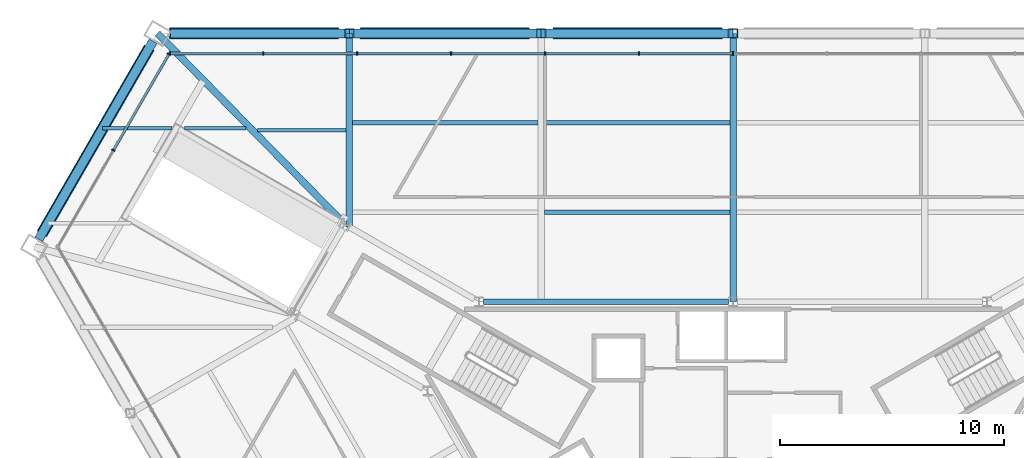
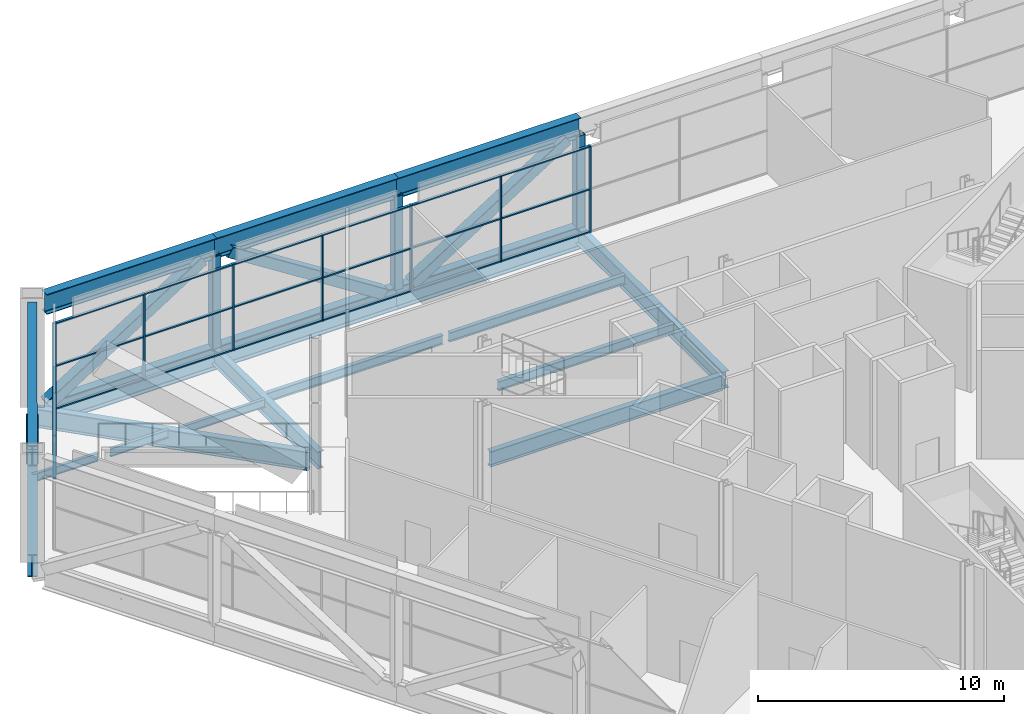
# One storey, part 7 of 20: 45 members, 10 beams, 2 elements without a shape of their own.
"""IFC4 building model written with IfcOpenShell, lengths in metres."""

from ifc_helpers import new_model, si_unit, direction, frame, origin, origin_2d, place, context, subcontext, project, spatial, rectangle, hollow_rectangle, i_section, extrude, material, layer, layer_set, material_profile, profile_set, type_object, element, aggregate, save


model = new_model("IFC4")

# Units and contexts
model_context = context("Model", 3, precision=1e-05, world=origin(), true_north=direction((0.0, 1.0)))
body_context = subcontext(model_context, "Body", "Model", "MODEL_VIEW")
ifc_project = project(units=[si_unit("LENGTHUNIT", "METRE"), si_unit("AREAUNIT", "SQUARE_METRE"), si_unit("VOLUMEUNIT", "CUBIC_METRE"), si_unit("PLANEANGLEUNIT", "RADIAN"), si_unit("MASSUNIT", "GRAM", prefix="KILO")], contexts=[model_context])

# Site, building, storey
site_placement = place(None, origin())
site = spatial("IfcSite", under=ifc_project, at=site_placement, CompositionType="ELEMENT")
building_placement = place(site_placement, origin())
building = spatial("IfcBuilding", under=site, at=building_placement, Name="Verrane Prism Tower", CompositionType="ELEMENT")
storey_placement = place(building_placement, frame((0.0, 0.0, 12.0)))
storey = spatial("IfcBuildingStorey", under=building, at=storey_placement, Name="L01", CompositionType="ELEMENT", Elevation=12.0)

# Curtain wall, members
ifc_material_1 = material(Name="Aluminium and glass curtain wall", Category="aluminium")
ifc_layer = layer(ifc_material_1, 0.199951171875)
ifc_layer_set = layer_set([ifc_layer], Name="CWB-1 retail curtain wall")
curtain_wall_type = type_object("IfcCurtainWallType", Name="CWB-1 retail curtain wall", PredefinedType="NOTDEFINED", material=ifc_layer_set)
curtain_wall_1_placement = place(storey_placement, origin())
curtain_wall_1 = element("IfcCurtainWall", 1, at=curtain_wall_1_placement, inside=storey, type_object=curtain_wall_type, Name="Retail curtain wall L01 2", PredefinedType="NOTDEFINED")
ifc_material_2 = material(Name="Aluminium", Category="aluminium")
ifc_material_profile_1 = material_profile(ifc_material_2, rectangle(XDim=0.159912109375, YDim=0.06005859375, at=origin_2d()), Name="CWB-M 60x160 mullion")
ifc_profile_set_1 = profile_set([ifc_material_profile_1], Name="Aluminium")
member_type_1 = type_object("IfcMemberType", Name="CWB-M 60x160 mullion", PredefinedType="MULLION", material=ifc_profile_set_1)
member_1_placement = place(storey_placement, frame((0.0, 20.27001953125, 0.0), z_axis=(0.0, 0.0, 1.0), x_axis=(0.0, -1.0, 0.0)))
member_1 = element("IfcMember", 2, at=member_1_placement, type_object=member_type_1, Name="CWB12 mullion 7", PredefinedType="MULLION", context=body_context, shape_type="SweptSolid", body=[
    extrude(rectangle(XDim=0.159912109375, YDim=0.06005859375, at=origin_2d()), origin(), (0.0, 0.0, 1.0), 4.2900390625),
])
member_2_placement = place(storey_placement, frame((-4.19140625, 20.27001953125, 0.0), z_axis=(0.0, 0.0, 1.0), x_axis=(0.0, -1.0, 0.0)))
member_2 = element("IfcMember", 3, at=member_2_placement, type_object=member_type_1, Name="CWB12 mullion 8", PredefinedType="MULLION", context=body_context, shape_type="SweptSolid", body=[
    extrude(rectangle(XDim=0.159912109375, YDim=0.06005859375, at=origin_2d()), origin(), (0.0, 0.0, 1.0), 4.2900390625),
])
member_3_placement = place(storey_placement, frame((-8.382568359375, 20.27001953125, 0.0), z_axis=(0.0, 0.0, 1.0), x_axis=(0.0, -1.0, 0.0)))
member_3 = element("IfcMember", 4, at=member_3_placement, type_object=member_type_1, Name="CWB12 mullion 9", PredefinedType="MULLION", context=body_context, shape_type="SweptSolid", body=[
    extrude(rectangle(XDim=0.159912109375, YDim=0.06005859375, at=origin_2d()), origin(), (0.0, 0.0, 1.0), 4.2900390625),
])
member_4_placement = place(storey_placement, frame((-12.573974609375, 20.27001953125, 0.0), z_axis=(0.0, 0.0, 1.0), x_axis=(0.0, -1.0, 0.0)))
member_4 = element("IfcMember", 5, at=member_4_placement, type_object=member_type_1, Name="CWB12 mullion 10", PredefinedType="MULLION", context=body_context, shape_type="SweptSolid", body=[
    extrude(rectangle(XDim=0.159912109375, YDim=0.06005859375, at=origin_2d()), origin(), (0.0, 0.0, 1.0), 4.2900390625),
])
member_5_placement = place(storey_placement, frame((-16.76513671875, 20.27001953125, 0.0), z_axis=(0.0, 0.0, 1.0), x_axis=(0.0, -1.0, 0.0)))
member_5 = element("IfcMember", 6, at=member_5_placement, type_object=member_type_1, Name="CWB12 mullion 11", PredefinedType="MULLION", context=body_context, shape_type="SweptSolid", body=[
    extrude(rectangle(XDim=0.159912109375, YDim=0.06005859375, at=origin_2d()), origin(), (0.0, 0.0, 1.0), 4.2900390625),
])
member_6_placement = place(storey_placement, frame((-20.95654296875, 20.27001953125, 0.0), z_axis=(0.0, 0.0, 1.0), x_axis=(0.0, -1.0, 0.0)))
member_6 = element("IfcMember", 7, at=member_6_placement, type_object=member_type_1, Name="CWB12 mullion 12", PredefinedType="MULLION", context=body_context, shape_type="SweptSolid", body=[
    extrude(rectangle(XDim=0.159912109375, YDim=0.06005859375, at=origin_2d()), origin(), (0.0, 0.0, 1.0), 4.2900390625),
])
member_7_placement = place(storey_placement, frame((-25.117919921875, 20.27001953125, 0.0), z_axis=(0.0, 0.0, 1.0), x_axis=(0.0, -1.0, 0.0)))
member_7 = element("IfcMember", 8, at=member_7_placement, type_object=member_type_1, Name="CWB12 mullion 13", PredefinedType="MULLION", context=body_context, shape_type="SweptSolid", body=[
    extrude(rectangle(XDim=0.159912109375, YDim=0.06005859375, at=origin_2d()), origin(), (0.0, 0.0, 1.0), 4.2900390625),
])

curtain_wall_2_placement = place(storey_placement, origin())
curtain_wall_2 = element("IfcCurtainWall", 9, at=curtain_wall_2_placement, inside=storey, type_object=curtain_wall_type, Name="Retail curtain wall L01 3", PredefinedType="NOTDEFINED")
member_8_placement = place(storey_placement, frame((-25.162841796875, 20.244140625, 0.0), z_axis=(0.0, 0.0, 1.0), x_axis=(0.866025871, -0.499999190758, 0.0)))
member_8 = element("IfcMember", 10, at=member_8_placement, type_object=member_type_1, Name="CWB13 mullion 1", PredefinedType="MULLION", context=body_context, shape_type="SweptSolid", body=[
    extrude(rectangle(XDim=0.159912109375, YDim=0.06005859375, at=origin_2d()), origin(), (0.0, 0.0, 1.0), 4.2900390625),
])
member_9_placement = place(storey_placement, frame((-27.63818359375, 15.956787109375, 0.0), z_axis=(0.0, 0.0, 1.0), x_axis=(0.866025871, -0.499999190758, 0.0)))
member_9 = element("IfcMember", 11, at=member_9_placement, type_object=member_type_1, Name="CWB13 mullion 2", PredefinedType="MULLION", context=body_context, shape_type="SweptSolid", body=[
    extrude(rectangle(XDim=0.159912109375, YDim=0.06005859375, at=origin_2d()), origin(), (0.0, 0.0, 1.0), 4.2900390625),
])

# Member
ifc_material_3 = material(Name="Aluminium", Category="aluminium")
ifc_material_profile_2 = material_profile(ifc_material_3, rectangle(XDim=0.1201171875, YDim=0.06005859375, at=origin_2d()), Name="CWB-T 60x120 transom")
ifc_profile_set_2 = profile_set([ifc_material_profile_2], Name="Aluminium")
member_type_2 = type_object("IfcMemberType", Name="CWB-T 60x120 transom", PredefinedType="USERDEFINED", material=ifc_profile_set_2)
member_10_placement = place(storey_placement, frame((-0.030029296875, 20.27001953125, 0.030029296875), z_axis=(-1.0, 0.0, 0.0), x_axis=(0.0, -1.0, 0.0)))
member_10 = element("IfcMember", 12, at=member_10_placement, type_object=member_type_2, Name="CWB12 transom 7.1", ObjectType="TRANSOM", PredefinedType="USERDEFINED", context=body_context, shape_type="SweptSolid", body=[
    extrude(rectangle(XDim=0.1201171875, YDim=0.06005859375, at=origin_2d()), origin(), (0.0, 0.0, 1.0), 4.13134765625),
])

member_11_placement = place(storey_placement, frame((-0.030029296875, 20.27001953125, 2.14501953125), z_axis=(-1.0, 0.0, 0.0), x_axis=(0.0, -1.0, 0.0)))
member_11 = element("IfcMember", 13, at=member_11_placement, type_object=member_type_2, Name="CWB12 transom 7.2", ObjectType="TRANSOM", PredefinedType="USERDEFINED", context=body_context, shape_type="SweptSolid", body=[
    extrude(rectangle(XDim=0.1201171875, YDim=0.06005859375, at=origin_2d()), origin(), (0.0, 0.0, 1.0), 4.13134765625),
])

member_12_placement = place(storey_placement, frame((-0.030029296875, 20.27001953125, 4.260009765625), z_axis=(-1.0, 0.0, 0.0), x_axis=(0.0, -1.0, 0.0)))
member_12 = element("IfcMember", 14, at=member_12_placement, type_object=member_type_2, Name="CWB12 transom 7.3", ObjectType="TRANSOM", PredefinedType="USERDEFINED", context=body_context, shape_type="SweptSolid", body=[
    extrude(rectangle(XDim=0.1201171875, YDim=0.06005859375, at=origin_2d()), origin(), (0.0, 0.0, 1.0), 4.13134765625),
])

member_13_placement = place(storey_placement, frame((-4.221435546875, 20.27001953125, 0.030029296875), z_axis=(-1.0, 0.0, 0.0), x_axis=(0.0, -1.0, 0.0)))
member_13 = element("IfcMember", 15, at=member_13_placement, type_object=member_type_2, Name="CWB12 transom 8.1", ObjectType="TRANSOM", PredefinedType="USERDEFINED", context=body_context, shape_type="SweptSolid", body=[
    extrude(rectangle(XDim=0.1201171875, YDim=0.06005859375, at=origin_2d()), origin(), (0.0, 0.0, 1.0), 4.131103515625),
])

member_14_placement = place(storey_placement, frame((-4.221435546875, 20.27001953125, 2.14501953125), z_axis=(-1.0, 0.0, 0.0), x_axis=(0.0, -1.0, 0.0)))
member_14 = element("IfcMember", 16, at=member_14_placement, type_object=member_type_2, Name="CWB12 transom 8.2", ObjectType="TRANSOM", PredefinedType="USERDEFINED", context=body_context, shape_type="SweptSolid", body=[
    extrude(rectangle(XDim=0.1201171875, YDim=0.06005859375, at=origin_2d()), origin(), (0.0, 0.0, 1.0), 4.131103515625),
])

member_15_placement = place(storey_placement, frame((-4.221435546875, 20.27001953125, 4.260009765625), z_axis=(-1.0, 0.0, 0.0), x_axis=(0.0, -1.0, 0.0)))
member_15 = element("IfcMember", 17, at=member_15_placement, type_object=member_type_2, Name="CWB12 transom 8.3", ObjectType="TRANSOM", PredefinedType="USERDEFINED", context=body_context, shape_type="SweptSolid", body=[
    extrude(rectangle(XDim=0.1201171875, YDim=0.06005859375, at=origin_2d()), origin(), (0.0, 0.0, 1.0), 4.131103515625),
])

member_16_placement = place(storey_placement, frame((-8.41259765625, 20.27001953125, 0.030029296875), z_axis=(-1.0, 0.0, 0.0), x_axis=(0.0, -1.0, 0.0)))
member_16 = element("IfcMember", 18, at=member_16_placement, type_object=member_type_2, Name="CWB12 transom 9.1", ObjectType="TRANSOM", PredefinedType="USERDEFINED", context=body_context, shape_type="SweptSolid", body=[
    extrude(rectangle(XDim=0.1201171875, YDim=0.06005859375, at=origin_2d()), origin(), (0.0, 0.0, 1.0), 4.13134765625),
])

member_17_placement = place(storey_placement, frame((-8.41259765625, 20.27001953125, 2.14501953125), z_axis=(-1.0, 0.0, 0.0), x_axis=(0.0, -1.0, 0.0)))
member_17 = element("IfcMember", 19, at=member_17_placement, type_object=member_type_2, Name="CWB12 transom 9.2", ObjectType="TRANSOM", PredefinedType="USERDEFINED", context=body_context, shape_type="SweptSolid", body=[
    extrude(rectangle(XDim=0.1201171875, YDim=0.06005859375, at=origin_2d()), origin(), (0.0, 0.0, 1.0), 4.13134765625),
])

member_18_placement = place(storey_placement, frame((-8.41259765625, 20.27001953125, 4.260009765625), z_axis=(-1.0, 0.0, 0.0), x_axis=(0.0, -1.0, 0.0)))
member_18 = element("IfcMember", 20, at=member_18_placement, type_object=member_type_2, Name="CWB12 transom 9.3", ObjectType="TRANSOM", PredefinedType="USERDEFINED", context=body_context, shape_type="SweptSolid", body=[
    extrude(rectangle(XDim=0.1201171875, YDim=0.06005859375, at=origin_2d()), origin(), (0.0, 0.0, 1.0), 4.13134765625),
])

member_19_placement = place(storey_placement, frame((-12.60400390625, 20.27001953125, 0.030029296875), z_axis=(-1.0, 0.0, 0.0), x_axis=(0.0, -1.0, 0.0)))
member_19 = element("IfcMember", 21, at=member_19_placement, type_object=member_type_2, Name="CWB12 transom 10.1", ObjectType="TRANSOM", PredefinedType="USERDEFINED", context=body_context, shape_type="SweptSolid", body=[
    extrude(rectangle(XDim=0.1201171875, YDim=0.06005859375, at=origin_2d()), origin(), (0.0, 0.0, 1.0), 4.13134765625),
])

member_20_placement = place(storey_placement, frame((-12.60400390625, 20.27001953125, 2.14501953125), z_axis=(-1.0, 0.0, 0.0), x_axis=(0.0, -1.0, 0.0)))
member_20 = element("IfcMember", 22, at=member_20_placement, type_object=member_type_2, Name="CWB12 transom 10.2", ObjectType="TRANSOM", PredefinedType="USERDEFINED", context=body_context, shape_type="SweptSolid", body=[
    extrude(rectangle(XDim=0.1201171875, YDim=0.06005859375, at=origin_2d()), origin(), (0.0, 0.0, 1.0), 4.13134765625),
])

member_21_placement = place(storey_placement, frame((-12.60400390625, 20.27001953125, 4.260009765625), z_axis=(-1.0, 0.0, 0.0), x_axis=(0.0, -1.0, 0.0)))
member_21 = element("IfcMember", 23, at=member_21_placement, type_object=member_type_2, Name="CWB12 transom 10.3", ObjectType="TRANSOM", PredefinedType="USERDEFINED", context=body_context, shape_type="SweptSolid", body=[
    extrude(rectangle(XDim=0.1201171875, YDim=0.06005859375, at=origin_2d()), origin(), (0.0, 0.0, 1.0), 4.13134765625),
])

member_22_placement = place(storey_placement, frame((-16.795166015625, 20.27001953125, 0.030029296875), z_axis=(-1.0, 0.0, 0.0), x_axis=(0.0, -1.0, 0.0)))
member_22 = element("IfcMember", 24, at=member_22_placement, type_object=member_type_2, Name="CWB12 transom 11.1", ObjectType="TRANSOM", PredefinedType="USERDEFINED", context=body_context, shape_type="SweptSolid", body=[
    extrude(rectangle(XDim=0.1201171875, YDim=0.06005859375, at=origin_2d()), origin(), (0.0, 0.0, 1.0), 4.13134765625),
])

member_23_placement = place(storey_placement, frame((-16.795166015625, 20.27001953125, 2.14501953125), z_axis=(-1.0, 0.0, 0.0), x_axis=(0.0, -1.0, 0.0)))
member_23 = element("IfcMember", 25, at=member_23_placement, type_object=member_type_2, Name="CWB12 transom 11.2", ObjectType="TRANSOM", PredefinedType="USERDEFINED", context=body_context, shape_type="SweptSolid", body=[
    extrude(rectangle(XDim=0.1201171875, YDim=0.06005859375, at=origin_2d()), origin(), (0.0, 0.0, 1.0), 4.13134765625),
])

member_24_placement = place(storey_placement, frame((-16.795166015625, 20.27001953125, 4.260009765625), z_axis=(-1.0, 0.0, 0.0), x_axis=(0.0, -1.0, 0.0)))
member_24 = element("IfcMember", 26, at=member_24_placement, type_object=member_type_2, Name="CWB12 transom 11.3", ObjectType="TRANSOM", PredefinedType="USERDEFINED", context=body_context, shape_type="SweptSolid", body=[
    extrude(rectangle(XDim=0.1201171875, YDim=0.06005859375, at=origin_2d()), origin(), (0.0, 0.0, 1.0), 4.13134765625),
])

member_25_placement = place(storey_placement, frame((-20.986572265625, 20.27001953125, 0.030029296875), z_axis=(-1.0, 0.0, 0.0), x_axis=(0.0, -1.0, 0.0)))
member_25 = element("IfcMember", 27, at=member_25_placement, type_object=member_type_2, Name="CWB12 transom 12.1", ObjectType="TRANSOM", PredefinedType="USERDEFINED", context=body_context, shape_type="SweptSolid", body=[
    extrude(rectangle(XDim=0.1201171875, YDim=0.06005859375, at=origin_2d()), origin(), (0.0, 0.0, 1.0), 4.101318359375),
])

member_26_placement = place(storey_placement, frame((-20.986572265625, 20.27001953125, 2.14501953125), z_axis=(-1.0, 0.0, 0.0), x_axis=(0.0, -1.0, 0.0)))
member_26 = element("IfcMember", 28, at=member_26_placement, type_object=member_type_2, Name="CWB12 transom 12.2", ObjectType="TRANSOM", PredefinedType="USERDEFINED", context=body_context, shape_type="SweptSolid", body=[
    extrude(rectangle(XDim=0.1201171875, YDim=0.06005859375, at=origin_2d()), origin(), (0.0, 0.0, 1.0), 4.101318359375),
])

member_27_placement = place(storey_placement, frame((-20.986572265625, 20.27001953125, 4.260009765625), z_axis=(-1.0, 0.0, 0.0), x_axis=(0.0, -1.0, 0.0)))
member_27 = element("IfcMember", 29, at=member_27_placement, type_object=member_type_2, Name="CWB12 transom 12.3", ObjectType="TRANSOM", PredefinedType="USERDEFINED", context=body_context, shape_type="SweptSolid", body=[
    extrude(rectangle(XDim=0.1201171875, YDim=0.06005859375, at=origin_2d()), origin(), (0.0, 0.0, 1.0), 4.101318359375),
])

aggregate(curtain_wall_1, [member_1, member_2, member_3, member_4, member_5, member_6, member_7, member_10, member_11, member_12, member_13, member_14, member_15, member_16, member_17, member_18, member_19, member_20, member_21, member_22, member_23, member_24, member_25, member_26, member_27])

member_28_placement = place(storey_placement, frame((-25.177978515625, 20.218017578125, 0.030029296875), z_axis=(-0.499988949793, -0.86603178353, 0.0), x_axis=(0.86603178353, -0.499988949793, 0.0)))
member_28 = element("IfcMember", 30, at=member_28_placement, type_object=member_type_2, Name="CWB13 transom 1.1", ObjectType="TRANSOM", PredefinedType="USERDEFINED", context=body_context, shape_type="SweptSolid", body=[
    extrude(rectangle(XDim=0.1201171875, YDim=0.06005859375, at=origin_2d()), origin(), (0.0, 0.0, 1.0), 4.89013671875),
])

member_29_placement = place(storey_placement, frame((-25.177978515625, 20.218017578125, 2.14501953125), z_axis=(-0.499988949793, -0.86603178353, 0.0), x_axis=(0.86603178353, -0.499988949793, 0.0)))
member_29 = element("IfcMember", 31, at=member_29_placement, type_object=member_type_2, Name="CWB13 transom 1.2", ObjectType="TRANSOM", PredefinedType="USERDEFINED", context=body_context, shape_type="SweptSolid", body=[
    extrude(rectangle(XDim=0.1201171875, YDim=0.06005859375, at=origin_2d()), origin(), (0.0, 0.0, 1.0), 4.89013671875),
])

member_30_placement = place(storey_placement, frame((-25.177978515625, 20.218017578125, 4.260009765625), z_axis=(-0.499988949793, -0.86603178353, 0.0), x_axis=(0.86603178353, -0.499988949793, 0.0)))
member_30 = element("IfcMember", 32, at=member_30_placement, type_object=member_type_2, Name="CWB13 transom 1.3", ObjectType="TRANSOM", PredefinedType="USERDEFINED", context=body_context, shape_type="SweptSolid", body=[
    extrude(rectangle(XDim=0.1201171875, YDim=0.06005859375, at=origin_2d()), origin(), (0.0, 0.0, 1.0), 4.89013671875),
])

aggregate(curtain_wall_2, [member_8, member_9, member_28, member_29, member_30])

# Beams
ifc_material_4 = material(Name="Steel A992", Category="steel")
ifc_material_profile_3 = material_profile(ifc_material_4, i_section(OverallWidth=0.2666015625, OverallDepth=0.76708984375, WebThickness=0.014892578125, FlangeThickness=0.023681640625, FilletRadius=0.0166015625, at=origin_2d()), Name="W30x124")
ifc_profile_set_3 = profile_set([ifc_material_profile_3], Name="Steel A992")
beam_type_1 = type_object("IfcBeamType", Name="Core ring girder W30x124", PredefinedType="BEAM", material=ifc_profile_set_3)
beam_1_placement = place(storey_placement, frame((-0.205810546875, 9.199951171875, -0.633544921875), z_axis=(-1.0, 0.0, 0.0), x_axis=(0.0, -1.0, 0.0)))
element("IfcBeam", 33, at=beam_1_placement, inside=storey, type_object=beam_type_1, Name="Core ring girder L01", PredefinedType="BEAM", context=body_context, shape_type="SweptSolid", body=[
    extrude(i_section(OverallWidth=0.2666015625, OverallDepth=0.76708984375, WebThickness=0.014892578125, FlangeThickness=0.023681640625, FilletRadius=0.0166015625, at=origin_2d()), origin(), (0.0, 0.0, 1.0), 10.91845703125),
])
ifc_material_5 = material(Name="Steel A992", Category="steel")
ifc_material_profile_4 = material_profile(ifc_material_5, i_section(OverallWidth=0.307373046875, OverallDepth=0.927001953125, WebThickness=0.01953125, FlangeThickness=0.031982421875, FilletRadius=0.01904296875, at=origin_2d()), Name="W36x194")
ifc_profile_set_4 = profile_set([ifc_material_profile_4], Name="Steel A992")
beam_type_2 = type_object("IfcBeamType", Name="Corner girder W36x194", PredefinedType="BEAM", material=ifc_profile_set_4)
beam_2_placement = place(storey_placement, frame((-25.66845703125, 21.16845703125, -0.68359375), z_axis=(0.700377975453, -0.713772156574, 0.0), x_axis=(0.713772156574, 0.700377975453, 0.0)))
element("IfcBeam", 34, at=beam_2_placement, inside=storey, type_object=beam_type_2, Name="Corner girder L01", PredefinedType="BEAM", context=body_context, shape_type="SweptSolid", body=[
    extrude(i_section(OverallWidth=0.307373046875, OverallDepth=0.927001953125, WebThickness=0.01953125, FlangeThickness=0.031982421875, FilletRadius=0.01904296875, at=origin_2d()), origin(), (0.0, 0.0, 1.0), 11.701904296875),
])
ifc_material_6 = material(Name="Steel A992", Category="steel")
ifc_material_profile_5 = material_profile(ifc_material_6, i_section(OverallWidth=0.140380859375, OverallDepth=0.40380859375, WebThickness=0.007080078125, FlangeThickness=0.01123046875, FilletRadius=0.01025390625, at=origin_2d()), Name="W16x31")
ifc_profile_set_5 = profile_set([ifc_material_profile_5], Name="Steel A992")
beam_type_3 = type_object("IfcBeamType", Name="Floor beam W16x31", PredefinedType="BEAM", material=ifc_profile_set_5)
beam_3_placement = place(storey_placement, frame((-21.21728515625, 16.85009765625, -0.36181640625), z_axis=(1.0, 0.0, 0.0), x_axis=(0.0, 1.0, 0.0)))
element("IfcBeam", 35, at=beam_3_placement, inside=storey, type_object=beam_type_3, Name="Floor beam L01", PredefinedType="BEAM", context=body_context, shape_type="SweptSolid", body=[
    extrude(i_section(OverallWidth=0.140380859375, OverallDepth=0.40380859375, WebThickness=0.007080078125, FlangeThickness=0.01123046875, FilletRadius=0.01025390625, at=origin_2d()), origin(), (0.0, 0.0, 1.0), 3.961181640625),
])
beam_4_placement = place(storey_placement, frame((-28.114013671875, 16.93505859375, -0.36181640625), z_axis=(1.0, 0.0, 0.0), x_axis=(0.0, 1.0, 0.0)))
element("IfcBeam", 36, at=beam_4_placement, inside=storey, type_object=beam_type_3, Name="Floor beam L01", PredefinedType="BEAM", context=body_context, shape_type="SweptSolid", body=[
    extrude(i_section(OverallWidth=0.140380859375, OverallDepth=0.40380859375, WebThickness=0.007080078125, FlangeThickness=0.01123046875, FilletRadius=0.01025390625, at=origin_2d()), origin(), (0.0, 0.0, 1.0), 3.08349609375),
])
beam_5_placement = place(storey_placement, frame((-24.467529296875, 16.93505859375, -0.36181640625), z_axis=(1.0, 0.0, 0.0), x_axis=(0.0, 1.0, 0.0)))
element("IfcBeam", 37, at=beam_5_placement, inside=storey, type_object=beam_type_3, Name="Floor beam L01", PredefinedType="BEAM", context=body_context, shape_type="SweptSolid", body=[
    extrude(i_section(OverallWidth=0.140380859375, OverallDepth=0.40380859375, WebThickness=0.007080078125, FlangeThickness=0.01123046875, FilletRadius=0.01025390625, at=origin_2d()), origin(), (0.0, 0.0, 1.0), 2.73681640625),
])
ifc_material_7 = material(Name="Steel A992", Category="steel")
ifc_material_profile_6 = material_profile(ifc_material_7, i_section(OverallWidth=0.1904296875, OverallDepth=0.457275390625, WebThickness=0.009033203125, FlangeThickness=0.014404296875, FilletRadius=0.01025390625, at=origin_2d()), Name="W18x50")
ifc_profile_set_6 = profile_set([ifc_material_profile_6], Name="Steel A992")
beam_type_4 = type_object("IfcBeamType", Name="Floor beam W18x50", PredefinedType="BEAM", material=ifc_profile_set_6)
for number, where, z_axis, x_axis, name in (
    (38, (-8.4140625, 13.18994140625, -0.388671875), (1.0, 0.0, 0.0), (0.0, 1.0, 0.0), "Floor beam L01"),
    (39, (-8.4140625, 17.179931640625, -0.388671875), (1.0, 0.0, 0.0), (0.0, 1.0, 0.0), "Floor beam L01"),
):
    element("IfcBeam", number, at=place(storey_placement, frame(where, z_axis=z_axis, x_axis=x_axis)), inside=storey, type_object=beam_type_4, Name=name, PredefinedType="BEAM", context=body_context, shape_type="SweptSolid", body=[
        extrude(i_section(OverallWidth=0.1904296875, OverallDepth=0.457275390625, WebThickness=0.009033203125, FlangeThickness=0.014404296875, FilletRadius=0.01025390625, at=origin_2d()), origin(), (0.0, 0.0, 1.0), 8.26806640625),
    ])
beam_6_placement = place(storey_placement, frame((-16.964111328125, 17.179931640625, -0.388671875), z_axis=(1.0, 0.0, 0.0), x_axis=(0.0, 1.0, 0.0)))
element("IfcBeam", 40, at=beam_6_placement, inside=storey, type_object=beam_type_4, Name="Floor beam L01", PredefinedType="BEAM", context=body_context, shape_type="SweptSolid", body=[
    extrude(i_section(OverallWidth=0.1904296875, OverallDepth=0.457275390625, WebThickness=0.009033203125, FlangeThickness=0.014404296875, FilletRadius=0.01025390625, at=origin_2d()), origin(), (0.0, 0.0, 1.0), 8.258056640625),
])
ifc_material_8 = material(Name="Steel A992", Category="steel")
ifc_material_profile_7 = material_profile(ifc_material_8, i_section(OverallWidth=0.2919921875, OverallDepth=0.845703125, WebThickness=0.015380859375, FlangeThickness=0.0244140625, FilletRadius=0.017822265625, at=origin_2d()), Name="W33x141")
ifc_profile_set_7 = profile_set([ifc_material_profile_7], Name="Steel A992")
beam_type_5 = type_object("IfcBeamType", Name="Radial girder W33x141", PredefinedType="BEAM", material=ifc_profile_set_7)
beam_7_placement = place(storey_placement, frame((0.0, 21.169921875, -0.642822265625), z_axis=(0.0, -1.0, 0.0), x_axis=(1.0, 0.0, 0.0)))
element("IfcBeam", 41, at=beam_7_placement, inside=storey, type_object=beam_type_5, Name="Radial girder L01", PredefinedType="BEAM", context=body_context, shape_type="SweptSolid", body=[
    extrude(i_section(OverallWidth=0.2919921875, OverallDepth=0.845703125, WebThickness=0.015380859375, FlangeThickness=0.0244140625, FilletRadius=0.017822265625, at=origin_2d()), origin(), (0.0, 0.0, 1.0), 11.969970703125),
])
beam_8_placement = place(storey_placement, frame((-17.110107421875, 21.169921875, -0.642822265625), z_axis=(0.0, -1.0, 0.0), x_axis=(1.0, 0.0, 0.0)))
element("IfcBeam", 42, at=beam_8_placement, inside=storey, type_object=beam_type_5, Name="Radial girder L01", PredefinedType="BEAM", context=body_context, shape_type="SweptSolid", body=[
    extrude(i_section(OverallWidth=0.2919921875, OverallDepth=0.845703125, WebThickness=0.015380859375, FlangeThickness=0.0244140625, FilletRadius=0.017822265625, at=origin_2d()), origin(), (0.0, 0.0, 1.0), 8.639404296875),
])

# Members
ifc_material_9 = material(Name="Steel A992", Category="steel")
ifc_material_profile_8 = material_profile(ifc_material_9, i_section(OverallWidth=0.4013671875, OverallDepth=1.000732421875, WebThickness=0.01904296875, FlangeThickness=0.0361328125, FilletRadius=0.030029296875, at=origin_2d()), Name="W40x249")
ifc_profile_set_8 = profile_set([ifc_material_profile_8], Name="Steel A992")
member_type_3 = type_object("IfcMemberType", Name="Transfer truss chord W40x249", PredefinedType="CHORD", material=ifc_profile_set_8)
member_31_placement = place(storey_placement, frame((0.0, 21.169921875, 4.739501953125), z_axis=(-1.0, 0.0, 0.0), x_axis=(0.0, -1.0, 0.0)))
element("IfcMember", 43, at=member_31_placement, inside=storey, type_object=member_type_3, Name="Truss chord L01", PredefinedType="CHORD", context=body_context, shape_type="SweptSolid", body=[
    extrude(i_section(OverallWidth=0.4013671875, OverallDepth=1.000732421875, WebThickness=0.01904296875, FlangeThickness=0.0361328125, FilletRadius=0.030029296875, at=origin_2d()), origin(), (0.0, 0.0, 1.0), 8.56005859375),
])
member_32_placement = place(storey_placement, frame((-8.56005859375, 21.169921875, 4.739501953125), z_axis=(-1.0, 0.0, 0.0), x_axis=(0.0, -1.0, 0.0)))
element("IfcMember", 44, at=member_32_placement, inside=storey, type_object=member_type_3, Name="Truss chord L01", PredefinedType="CHORD", context=body_context, shape_type="SweptSolid", body=[
    extrude(i_section(OverallWidth=0.4013671875, OverallDepth=1.000732421875, WebThickness=0.01904296875, FlangeThickness=0.0361328125, FilletRadius=0.030029296875, at=origin_2d()), origin(), (0.0, 0.0, 1.0), 8.550048828125),
])
member_33_placement = place(storey_placement, frame((-17.110107421875, 21.169921875, 4.739501953125), z_axis=(-1.0, 0.0, 0.0), x_axis=(0.0, -1.0, 0.0)))
element("IfcMember", 45, at=member_33_placement, inside=storey, type_object=member_type_3, Name="Truss chord L01", PredefinedType="CHORD", context=body_context, shape_type="SweptSolid", body=[
    extrude(i_section(OverallWidth=0.4013671875, OverallDepth=1.000732421875, WebThickness=0.01904296875, FlangeThickness=0.0361328125, FilletRadius=0.030029296875, at=origin_2d()), origin(), (0.0, 0.0, 1.0), 7.982421875),
])
member_34_placement = place(storey_placement, frame((-25.869873046875, 20.823486328125, 4.739501953125), z_axis=(-0.49986813558, -0.866101522359, 0.0), x_axis=(0.866101522359, -0.49986813558, 0.0)))
element("IfcMember", 46, at=member_34_placement, inside=storey, type_object=member_type_3, Name="Truss chord L01", PredefinedType="CHORD", context=body_context, shape_type="SweptSolid", body=[
    extrude(i_section(OverallWidth=0.4013671875, OverallDepth=1.000732421875, WebThickness=0.01904296875, FlangeThickness=0.0361328125, FilletRadius=0.030029296875, at=origin_2d()), origin(), (0.0, 0.0, 1.0), 10.203369140625),
])
ifc_material_10 = material(Name="Steel A992", Category="steel")
ifc_material_profile_9 = material_profile(ifc_material_10, i_section(OverallWidth=0.40380859375, OverallDepth=1.11767578125, WebThickness=0.026123046875, FlangeThickness=0.044921875, FilletRadius=0.02001953125, at=origin_2d()), Name="W44x335")
ifc_profile_set_9 = profile_set([ifc_material_profile_9], Name="Steel A992")
member_type_4 = type_object("IfcMemberType", Name="Transfer truss chord W44x335", PredefinedType="CHORD", material=ifc_profile_set_9)
member_35_placement = place(storey_placement, frame((0.0, 21.169921875, -0.72119140625), z_axis=(-1.0, 0.0, 0.0), x_axis=(0.0, -1.0, 0.0)))
element("IfcMember", 47, at=member_35_placement, inside=storey, type_object=member_type_4, Name="Truss chord L01", PredefinedType="CHORD", context=body_context, shape_type="SweptSolid", body=[
    extrude(i_section(OverallWidth=0.40380859375, OverallDepth=1.11767578125, WebThickness=0.026123046875, FlangeThickness=0.044921875, FilletRadius=0.02001953125, at=origin_2d()), origin(), (0.0, 0.0, 1.0), 8.56005859375),
])
member_36_placement = place(storey_placement, frame((-8.56005859375, 21.169921875, -0.72119140625), z_axis=(-1.0, 0.0, 0.0), x_axis=(0.0, -1.0, 0.0)))
element("IfcMember", 48, at=member_36_placement, inside=storey, type_object=member_type_4, Name="Truss chord L01", PredefinedType="CHORD", context=body_context, shape_type="SweptSolid", body=[
    extrude(i_section(OverallWidth=0.40380859375, OverallDepth=1.11767578125, WebThickness=0.026123046875, FlangeThickness=0.044921875, FilletRadius=0.02001953125, at=origin_2d()), origin(), (0.0, 0.0, 1.0), 8.550048828125),
])
member_37_placement = place(storey_placement, frame((-17.110107421875, 21.169921875, -0.72119140625), z_axis=(-1.0, 0.0, 0.0), x_axis=(0.0, -1.0, 0.0)))
element("IfcMember", 49, at=member_37_placement, inside=storey, type_object=member_type_4, Name="Truss chord L01", PredefinedType="CHORD", context=body_context, shape_type="SweptSolid", body=[
    extrude(i_section(OverallWidth=0.40380859375, OverallDepth=1.11767578125, WebThickness=0.026123046875, FlangeThickness=0.044921875, FilletRadius=0.02001953125, at=origin_2d()), origin(), (0.0, 0.0, 1.0), 7.982421875),
])
member_38_placement = place(storey_placement, frame((-25.869873046875, 20.823486328125, -0.72119140625), z_axis=(-0.49986813558, -0.866101522359, 0.0), x_axis=(0.866101522359, -0.49986813558, 0.0)))
element("IfcMember", 50, at=member_38_placement, inside=storey, type_object=member_type_4, Name="Truss chord L01", PredefinedType="CHORD", context=body_context, shape_type="SweptSolid", body=[
    extrude(i_section(OverallWidth=0.40380859375, OverallDepth=1.11767578125, WebThickness=0.026123046875, FlangeThickness=0.044921875, FilletRadius=0.02001953125, at=origin_2d()), origin(), (0.0, 0.0, 1.0), 10.203369140625),
])
ifc_material_11 = material(Name="Steel A500 Grade C", Category="steel")
ifc_material_profile_10 = material_profile(ifc_material_11, hollow_rectangle(XDim=0.508056640625, YDim=0.508056640625, WallThickness=0.01904296875, InnerFilletRadius=0.009521484375, OuterFilletRadius=0.028564453125, at=origin_2d()), Name="HSS20x20x3/4")
ifc_profile_set_10 = profile_set([ifc_material_profile_10], Name="Steel A500 Grade C")
member_type_5 = type_object("IfcMemberType", Name="Transfer truss diagonal HSS20x20x3/4", PredefinedType="BRACE", material=ifc_profile_set_10)
member_39_placement = place(storey_placement, frame((-7.901123046875, 21.169921875, -0.30078125), z_axis=(0.843055155549, 0.0, 0.537827114138), x_axis=(0.0, 1.0, 0.0)))
element("IfcMember", 51, at=member_39_placement, inside=storey, type_object=member_type_5, Name="Truss diagonal L01", PredefinedType="BRACE", context=body_context, shape_type="SweptSolid", body=[
    extrude(hollow_rectangle(XDim=0.508056640625, YDim=0.508056640625, WallThickness=0.01904296875, InnerFilletRadius=0.009521484375, OuterFilletRadius=0.028564453125, at=origin_2d()), origin(), (0.0, 0.0, 1.0), 8.645751953125),
])
member_40_placement = place(storey_placement, frame((-9.21826171875, 21.169921875, -0.30078125), z_axis=(-0.84276891224, 0.0, 0.538275543344), x_axis=(0.0, -1.0, 0.0)))
element("IfcMember", 52, at=member_40_placement, inside=storey, type_object=member_type_5, Name="Truss diagonal L01", PredefinedType="BRACE", context=body_context, shape_type="SweptSolid", body=[
    extrude(hollow_rectangle(XDim=0.508056640625, YDim=0.508056640625, WallThickness=0.01904296875, InnerFilletRadius=0.009521484375, OuterFilletRadius=0.028564453125, at=origin_2d()), origin(), (0.0, 0.0, 1.0), 8.638427734375),
])
member_41_placement = place(storey_placement, frame((-25.010986328125, 21.169921875, -0.30078125), z_axis=(0.843055155549, 0.0, 0.537827114138), x_axis=(0.0, 1.0, 0.0)))
element("IfcMember", 53, at=member_41_placement, inside=storey, type_object=member_type_5, Name="Truss diagonal L01", PredefinedType="BRACE", context=body_context, shape_type="SweptSolid", body=[
    extrude(hollow_rectangle(XDim=0.508056640625, YDim=0.508056640625, WallThickness=0.01904296875, InnerFilletRadius=0.009521484375, OuterFilletRadius=0.028564453125, at=origin_2d()), origin(), (0.0, 0.0, 1.0), 8.645751953125),
])
member_42_placement = place(storey_placement, frame((-26.093505859375, 20.436279296875, -0.30078125), z_axis=(-0.447734917422, -0.775821769642, 0.444560485727), x_axis=(0.866115299011, -0.499844264566, 0.0)))
element("IfcMember", 54, at=member_42_placement, inside=storey, type_object=member_type_5, Name="Truss diagonal L01", PredefinedType="BRACE", context=body_context, shape_type="SweptSolid", body=[
    extrude(hollow_rectangle(XDim=0.508056640625, YDim=0.508056640625, WallThickness=0.01904296875, InnerFilletRadius=0.009521484375, OuterFilletRadius=0.028564453125, at=origin_2d()), origin(), (0.0, 0.0, 1.0), 10.45947265625),
])
ifc_material_12 = material(Name="Steel A500 Grade C", Category="steel")
ifc_material_profile_11 = material_profile(ifc_material_12, hollow_rectangle(XDim=0.406494140625, YDim=0.406494140625, WallThickness=0.01904296875, InnerFilletRadius=0.009521484375, OuterFilletRadius=0.028564453125, at=origin_2d()), Name="HSS16x16x3/4")
ifc_profile_set_11 = profile_set([ifc_material_profile_11], Name="Steel A500 Grade C")
member_type_6 = type_object("IfcMemberType", Name="Transfer truss post HSS16x16x3/4", PredefinedType="POST", material=ifc_profile_set_11)
for number, where, z_axis, x_axis, name in (
    (55, (0.0, 21.169921875, -0.30078125), (0.0, 0.0, 1.0), (1.0, 0.0, 0.0), "Truss post L01"),
    (56, (-8.56005859375, 21.169921875, -0.30078125), (0.0, 0.0, 1.0), (1.0, 0.0, 0.0), "Truss post L01"),
    (57, (-17.110107421875, 21.169921875, -0.30078125), (0.0, 0.0, 1.0), (1.0, 0.0, 0.0), "Truss post L01"),
):
    element("IfcMember", number, at=place(storey_placement, frame(where, z_axis=z_axis, x_axis=x_axis)), inside=storey, type_object=member_type_6, Name=name, PredefinedType="POST", context=body_context, shape_type="SweptSolid", body=[
        extrude(hollow_rectangle(XDim=0.406494140625, YDim=0.406494140625, WallThickness=0.01904296875, InnerFilletRadius=0.009521484375, OuterFilletRadius=0.028564453125, at=origin_2d()), origin(), (0.0, 0.0, 1.0), 4.64990234375),
    ])

save(model, "model.ifc")
